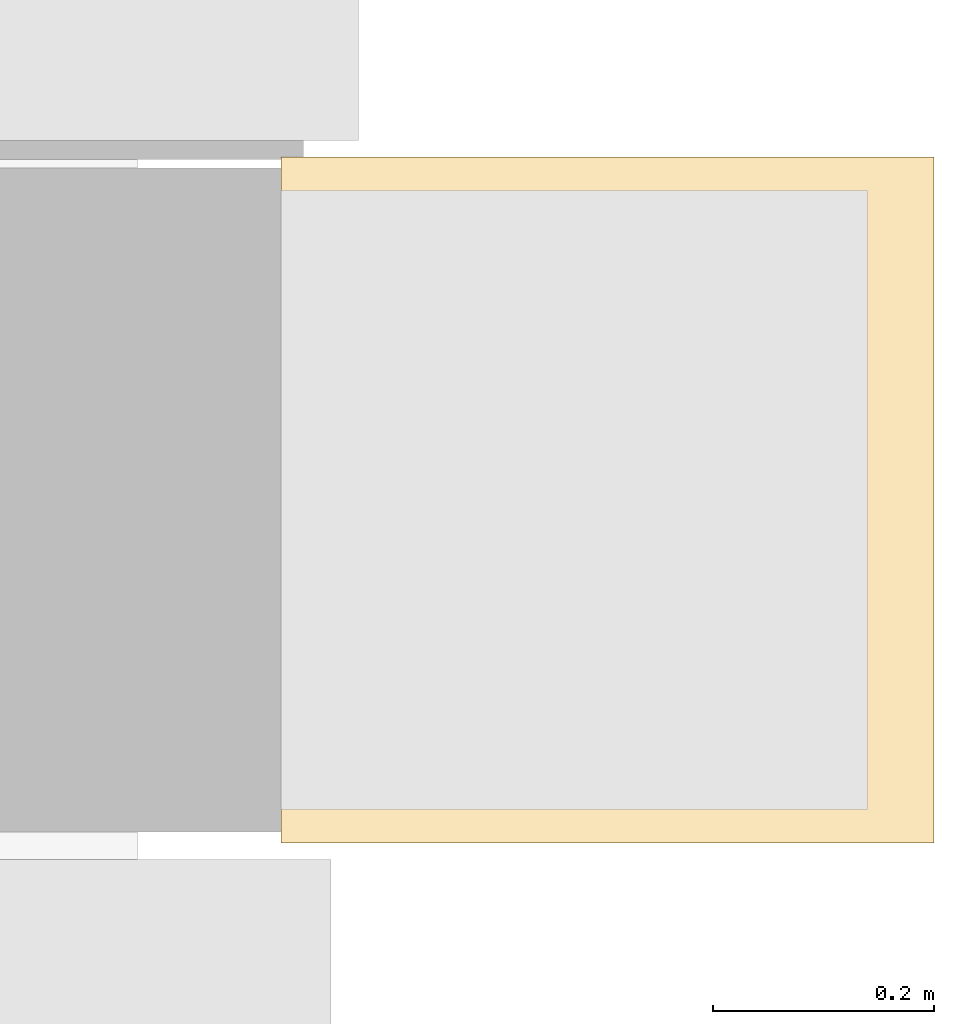
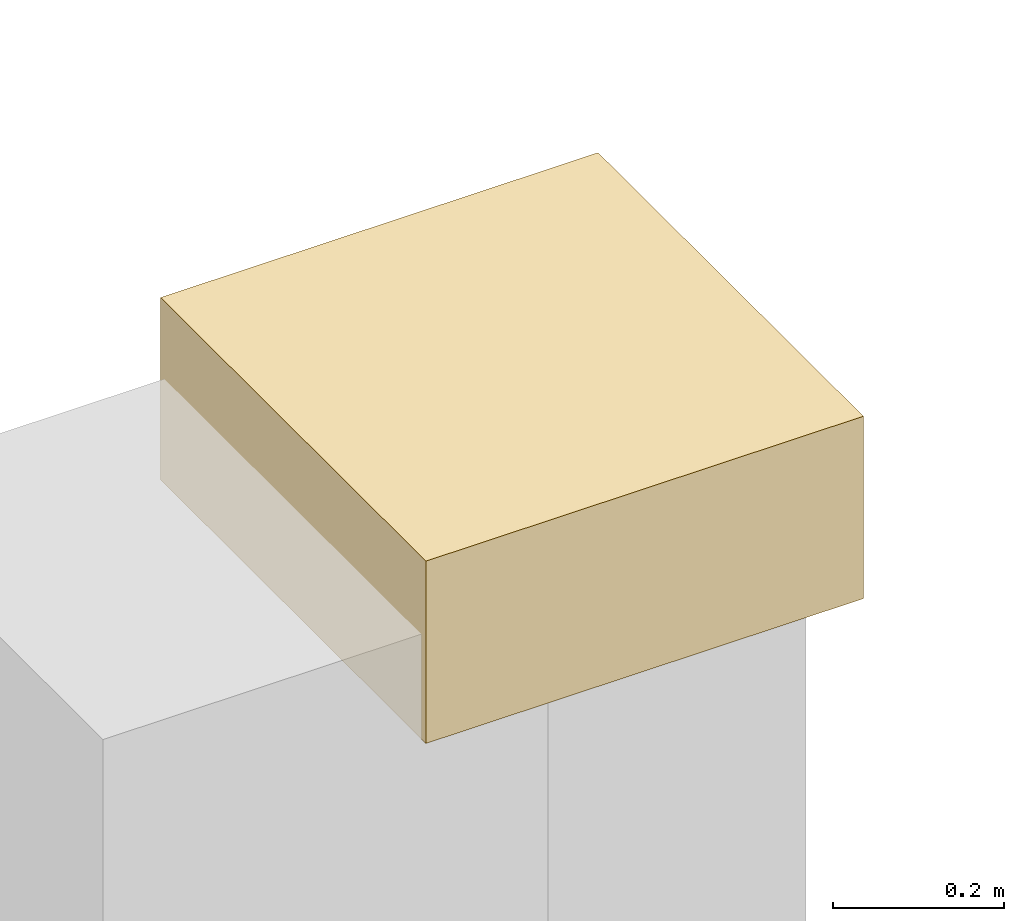
# One storey, part 23 of 23: 1 covering.
"""IFC4 building model written with IfcOpenShell, lengths in metres."""

import ifcopenshell
import ifcopenshell.guid

model = None  # the IFC model being written
_history = None  # IfcOwnerHistory: only IFC2X3 demands one
_inside = {}  # id of a spatial element -> (the spatial element, [elements in it])
_under = {}  # id of a project, library or spatial element -> (it, [spatial elements below it])
_declared = {}  # id of a project -> (the project, [libraries it declares])
_typed = {}  # id of a type object -> (the type object, [elements of that type])
_made_of = {}  # id of a material, layer set ... -> (it, [elements and type objects made of it])


def new_model(schema):
    """Start an empty IFC model of exactly this schema.

    Asked for "IFC4X3", IfcOpenShell would pick the latest addendum, in which some entities
    have other attributes; the version numbers below select the first issue.
    IFC2X3 requires an IfcOwnerHistory on every rooted entity: one is made here for all.
    """
    global model, _history
    if schema == "IFC4X3":
        model = ifcopenshell.file(schema_version=(4, 3, 0, 0))
    else:
        model = ifcopenshell.file(schema=schema)
    _inside.clear()
    _under.clear()
    _declared.clear()
    _typed.clear()
    _made_of.clear()
    _history = None
    if model.schema == "IFC2X3":
        org = make("IfcOrganization", Name="unknown")
        user = make(
            "IfcPersonAndOrganization",
            ThePerson=make("IfcPerson", FamilyName="unknown"),
            TheOrganization=org,
        )
        app = make(
            "IfcApplication",
            ApplicationDeveloper=org,
            Version="unknown",
            ApplicationFullName="unknown",
            ApplicationIdentifier="unknown",
        )
        _history = make(
            "IfcOwnerHistory",
            OwningUser=user,
            OwningApplication=app,
            ChangeAction="ADDED",
            CreationDate=0,
        )
    return model


def make(cls, **values):
    """One entity of the class cls with the attributes given. An attribute that is None is left unset."""
    return model.create_entity(
        cls, **{name: value for name, value in values.items() if value is not None}
    )


def rooted(cls, **values):
    """An entity with a GlobalId (a new one), such as an element, a storey or a relation."""
    return make(cls, GlobalId=ifcopenshell.guid.new(), OwnerHistory=_history, **values)


def si_unit(unit_type, name, prefix=None):
    """IfcSIUnit, for example si_unit("LENGTHUNIT", "METRE", prefix="MILLI")."""
    return make("IfcSIUnit", UnitType=unit_type, Prefix=prefix, Name=name)


def assignment(units):
    """IfcUnitAssignment: the units of a project."""
    return None if units is None else make("IfcUnitAssignment", Units=units)


def point(xyz):
    """IfcCartesianPoint."""
    return None if xyz is None else make("IfcCartesianPoint", Coordinates=xyz)


def direction(xyz):
    """IfcDirection."""
    return None if xyz is None else make("IfcDirection", DirectionRatios=xyz)


def frame(location, z_axis=None, x_axis=None):
    """IfcAxis2Placement3D, a coordinate frame: its origin and axes. An axis left out is left unset."""
    return make(
        "IfcAxis2Placement3D",
        Location=point(location),
        Axis=direction(z_axis),
        RefDirection=direction(x_axis),
    )


def origin():
    """The frame at (0, 0, 0) with its axes left unset."""
    return frame((0.0, 0.0, 0.0))


def place(relative_to, where):
    """IfcLocalPlacement: puts the frame where relative to a parent placement (None: the world)."""
    return make(
        "IfcLocalPlacement", PlacementRelTo=relative_to, RelativePlacement=where
    )


def context(
    kind, dimensions, precision=None, world=None, true_north=None, identifier=None
):
    """IfcGeometricRepresentationContext, for example the 3D "Model" context."""
    return make(
        "IfcGeometricRepresentationContext",
        ContextIdentifier=identifier,
        ContextType=kind,
        CoordinateSpaceDimension=dimensions,
        Precision=precision,
        WorldCoordinateSystem=world,
        TrueNorth=true_north,
    )


def subcontext(parent, identifier, kind, view, scale=None):
    """IfcGeometricRepresentationSubContext, for example "Body" below "Model"."""
    return make(
        "IfcGeometricRepresentationSubContext",
        ContextIdentifier=identifier,
        ContextType=kind,
        ParentContext=parent,
        TargetScale=scale,
        TargetView=view,
    )


def project(units=None, contexts=None):
    """IfcProject with its units and contexts."""
    return rooted(
        "IfcProject",
        Name="project",
        RepresentationContexts=contexts,
        UnitsInContext=assignment(units),
    )


def spatial(cls, under=None, at=None, **own):
    """A site, building, storey or space (cls), placed at a placement, below another one or the project."""
    s = rooted(cls, ObjectPlacement=at, **own)
    if under is not None:
        _under.setdefault(under.id(), (under, []))[1].append(s)
    return s


def polyline(points):
    """IfcPolyline through the points."""
    return make("IfcPolyline", Points=[point(p) for p in points])


def outline(outer, holes=None, kind="AREA"):
    """IfcArbitraryClosedProfileDef: a profile drawn as a closed curve; with holes, ...WithVoids."""
    if holes is None:
        return make("IfcArbitraryClosedProfileDef", ProfileType=kind, OuterCurve=outer)
    return make(
        "IfcArbitraryProfileDefWithVoids",
        ProfileType=kind,
        OuterCurve=outer,
        InnerCurves=holes,
    )


def extrude(swept, where, along, depth):
    """IfcExtrudedAreaSolid: the profile swept, set in the frame where, extruded along a direction by depth."""
    return make(
        "IfcExtrudedAreaSolid",
        SweptArea=swept,
        Position=where,
        ExtrudedDirection=direction(along),
        Depth=depth,
    )


def shape(context_of_items, identifier, shape_type, items):
    """IfcShapeRepresentation: the items that make up one representation, for example the "Body"."""
    return make(
        "IfcShapeRepresentation",
        ContextOfItems=context_of_items,
        RepresentationIdentifier=identifier,
        RepresentationType=shape_type,
        Items=items,
    )


def material(Name=None, Category=None):
    """IfcMaterial."""
    return make("IfcMaterial", Name=Name, Category=Category)


def layer(
    of_material, thickness, ventilated=None, Name=None, Category=None, Priority=None
):
    """IfcMaterialLayer: one layer of a wall or slab, of a material (None: an air gap)."""
    return make(
        "IfcMaterialLayer",
        Material=of_material,
        LayerThickness=thickness,
        IsVentilated=ventilated,
        Name=Name,
        Category=Category,
        Priority=Priority,
    )


def layer_set(layers, Name=None):
    """IfcMaterialLayerSet."""
    return make("IfcMaterialLayerSet", MaterialLayers=layers, LayerSetName=Name)


def made_of(thing, what):
    """Note that an element or type object is made of a material, layer set ...; save() writes the relation."""
    if what is not None:
        _made_of.setdefault(what.id(), (what, []))[1].append(thing)
    return thing


def type_object(cls, material=None, **own):
    """A type object (cls), such as IfcWallType, which elements share."""
    return made_of(rooted(cls, **own), material)


def element(
    cls,
    number,
    at=None,
    inside=None,
    cuts=None,
    type_object=None,
    material=None,
    context=None,
    identifier="Body",
    shape_type=None,
    held_by="IfcProductDefinitionShape",
    body=None,
    shapes=None,
    **own,
):
    """One element of the class cls, such as IfcWall. Its Tag is "e" and its number.

    at: its placement. inside: the storey or other place that contains it. cuts: it is an
    opening in that element (IfcRelVoidsElement). A single representation is given by context,
    identifier, shape_type and body (its items); several are given by shapes. held_by: the class
    of the entity that holds the representations. save() writes the other relations.
    """
    e = rooted(cls, Tag="e%d" % number, ObjectPlacement=at, **own)
    if body is not None:
        shapes = [shape(context, identifier, shape_type, body)]
    if shapes is not None:
        e.Representation = make(held_by, Representations=shapes)
    if inside is not None:
        _inside.setdefault(inside.id(), (inside, []))[1].append(e)
    if cuts is not None:
        rooted(
            "IfcRelVoidsElement", RelatingBuildingElement=cuts, RelatedOpeningElement=e
        )
    if type_object is not None:
        _typed.setdefault(type_object.id(), (type_object, []))[1].append(e)
    return made_of(e, material)


def aggregate(whole, parts):
    """IfcRelAggregates: a whole, such as a stair, and the parts it consists of."""
    return rooted("IfcRelAggregates", RelatingObject=whole, RelatedObjects=parts)


def save(model, path):
    """Write the relations noted so far, then the file.

    IfcRelAggregates (storeys below a building ...), IfcRelContainedInSpatialStructure (elements
    in a storey), IfcRelDefinesByType, IfcRelAssociatesMaterial and IfcRelDeclares: one each for
    every whole, place, type object, material and project.
    """
    for whole, parts in _under.values():
        aggregate(whole, parts)
    for where, things in _inside.values():
        rooted(
            "IfcRelContainedInSpatialStructure",
            RelatedElements=things,
            RelatingStructure=where,
        )
    for kind, things in _typed.values():
        rooted("IfcRelDefinesByType", RelatedObjects=things, RelatingType=kind)
    for what, things in _made_of.values():
        rooted("IfcRelAssociatesMaterial", RelatedObjects=things, RelatingMaterial=what)
    for by, libraries in _declared.values():
        rooted("IfcRelDeclares", RelatingContext=by, RelatedDefinitions=libraries)
    model.write(path)


model = new_model("IFC4")

# Units and contexts
model_context = context("Model", 3, precision=1e-05, world=origin(), true_north=direction((0.0, 1.0)))
body_context = subcontext(model_context, "Body", "Model", "MODEL_VIEW")
ifc_project = project(units=[si_unit("LENGTHUNIT", "METRE"), si_unit("AREAUNIT", "SQUARE_METRE"), si_unit("VOLUMEUNIT", "CUBIC_METRE"), si_unit("PLANEANGLEUNIT", "RADIAN"), si_unit("MASSUNIT", "GRAM", prefix="KILO")], contexts=[model_context])

# Site, building, storey
site_placement = place(None, origin())
site = spatial("IfcSite", under=ifc_project, at=site_placement, CompositionType="ELEMENT")
building_placement = place(site_placement, origin())
building = spatial("IfcBuilding", under=site, at=building_placement, Name="Cendralis Lancet Convention Centre", CompositionType="ELEMENT")
storey_placement = place(building_placement, frame((0.0, 0.0, 19.800048828125)))
storey = spatial("IfcBuildingStorey", under=building, at=storey_placement, Name="L04", CompositionType="ELEMENT", Elevation=19.800048828125)

# Covering
ifc_material = material(Name="Dark Andean slate chevron cassette", Category="masonry")
ifc_layer = layer(ifc_material, 0.06005859375, Name="Dark Andean slate chevron cassette")
ifc_layer_set = layer_set([ifc_layer], Name="Dark Andean slate chevron cassette")
covering_type = type_object("IfcCoveringType", Name="ARC-CV-CLAD2", PredefinedType="CLADDING", material=ifc_layer_set)
covering_placement = place(storey_placement, frame((0.0, 0.0, 3.89990234375)))
element("IfcCovering", 1, at=covering_placement, inside=storey, type_object=covering_type, Name="Gothic Buttress Slate Pinnacle Cap #0086", PredefinedType="CLADDING", context=body_context, shape_type="SweptSolid", body=[
    extrude(outline(polyline([(209.52001953125, 14.090087890625), (209.52001953125, 14.7099609375), (208.929931640625, 14.7099609375), (208.929931640625, 14.090087890625), (209.52001953125, 14.090087890625)])), origin(), (0.0, 0.0, 1.0), 0.260009765625),
])

save(model, "model.ifc")
